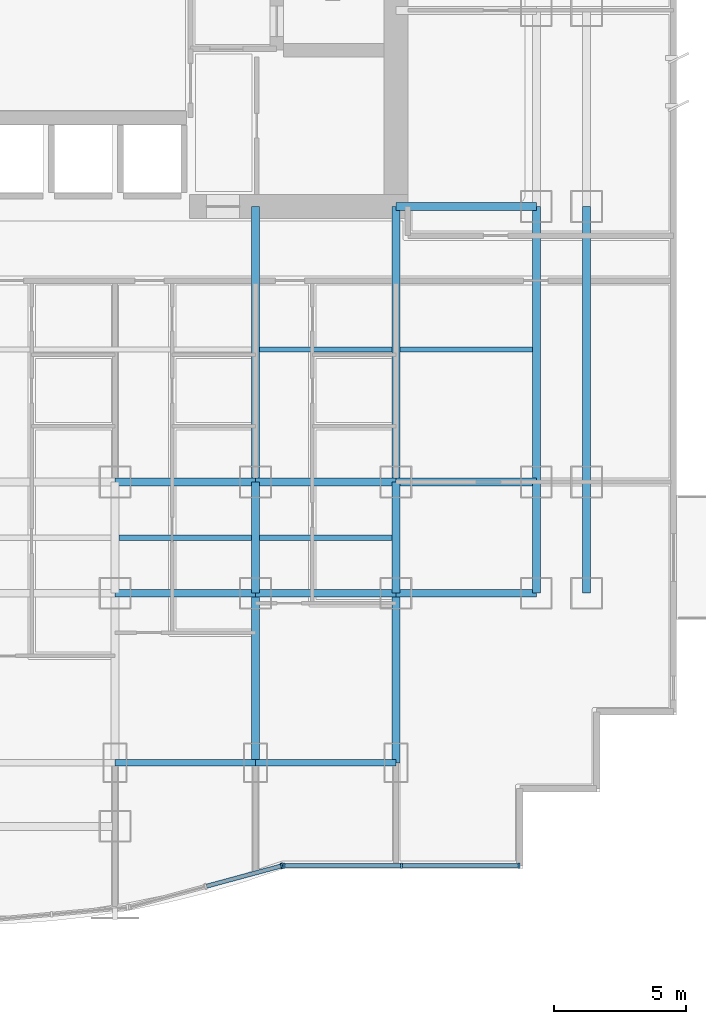
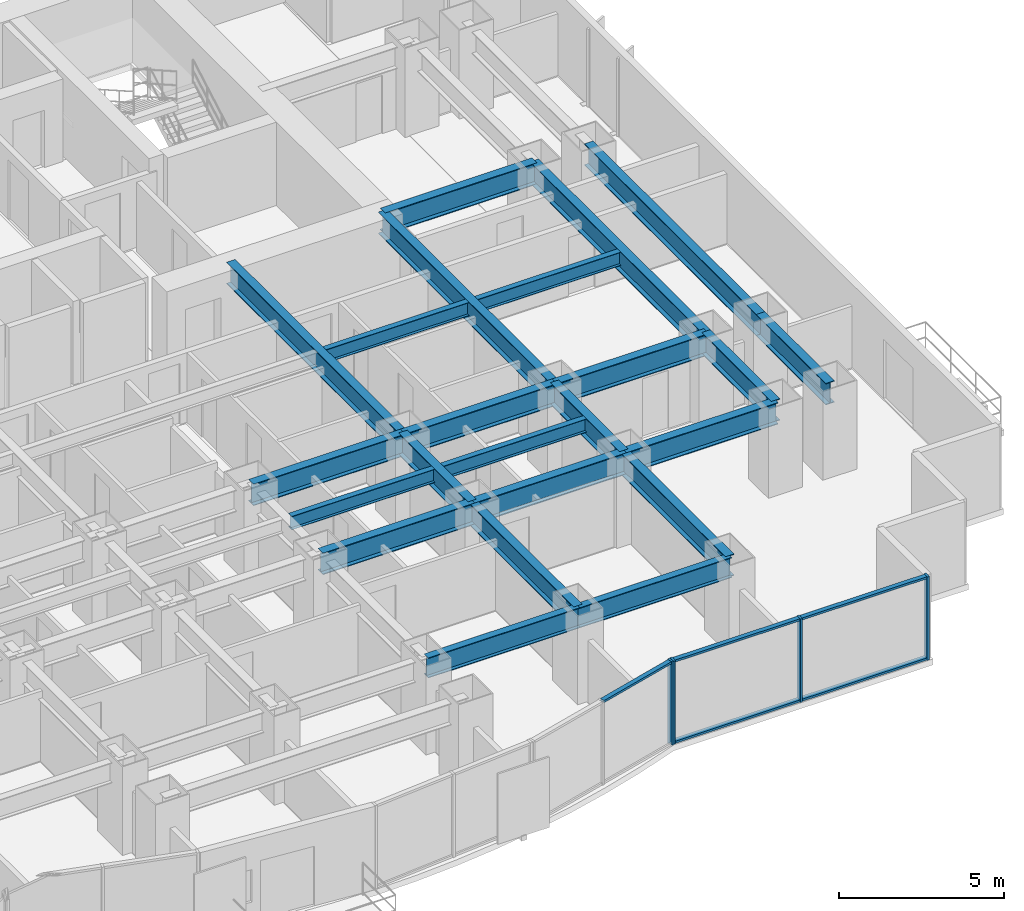
# One storey, part 3 of 10: 23 beams, 9 members, 2 elements without a shape of their own.
"""IFC4 building model written with IfcOpenShell, lengths in metres."""

from ifc_helpers import new_model, si_unit, direction, frame, origin, origin_2d, place, context, subcontext, project, spatial, rectangle, i_section, extrude, source, transform, mapped, material, layer, layer_set, material_profile, profile_set, type_object, element, aggregate, save


model = new_model("IFC4")

# Units and contexts
model_context = context("Model", 3, precision=1e-05, world=origin(), true_north=direction((0.0, 1.0)))
body_context = subcontext(model_context, "Body", "Model", "MODEL_VIEW")
ifc_project = project(units=[si_unit("LENGTHUNIT", "METRE"), si_unit("AREAUNIT", "SQUARE_METRE"), si_unit("VOLUMEUNIT", "CUBIC_METRE"), si_unit("PLANEANGLEUNIT", "RADIAN"), si_unit("MASSUNIT", "GRAM", prefix="KILO")], contexts=[model_context])

# Site, building, storey
site_placement = place(None, origin())
site = spatial("IfcSite", under=ifc_project, at=site_placement, CompositionType="ELEMENT")
building_placement = place(site_placement, origin())
building = spatial("IfcBuilding", under=site, at=building_placement, Name="Qianlan Lanfeng Residences", CompositionType="ELEMENT")
storey_placement = place(building_placement, frame((0.0, 0.0, 30.800048828125)))
storey = spatial("IfcBuildingStorey", under=building, at=storey_placement, Name="L07", CompositionType="ELEMENT", Elevation=30.800048828125)

# Beams
ifc_material_1 = material(Name="Steel SN490B", Category="steel")
ifc_material_profile_1 = material_profile(ifc_material_1, i_section(OverallWidth=0.300048828125, OverallDepth=0.800048828125, WebThickness=0.01611328125, FlangeThickness=0.028076171875, at=origin_2d()), Name="H 800x300x16x28")
ifc_profile_set_1 = profile_set([ifc_material_profile_1], Name="Steel SN490B")
beam_type_1 = type_object("IfcBeamType", Name="G-950", PredefinedType="BEAM", material=ifc_profile_set_1)
beam_1_placement = place(storey_placement, frame((31.800048828125, 10.60009765625, 2.679931640625), z_axis=(1.0, 0.0, 0.0), x_axis=(0.0, 1.0, 0.0)))
element("IfcBeam", 1, at=beam_1_placement, inside=storey, type_object=beam_type_1, Name="Structural beam G-950", PredefinedType="BEAM", context=body_context, shape_type="SweptSolid", body=[
    extrude(i_section(OverallWidth=0.300048828125, OverallDepth=0.800048828125, WebThickness=0.01611328125, FlangeThickness=0.028076171875, at=origin_2d()), origin(), (0.0, 0.0, 1.0), 5.300048828125),
])
beam_2_placement = place(storey_placement, frame((37.10009765625, 10.60009765625, 2.679931640625), z_axis=(1.0, 0.0, 0.0), x_axis=(0.0, 1.0, 0.0)))
element("IfcBeam", 2, at=beam_2_placement, inside=storey, type_object=beam_type_1, Name="Structural beam G-950", PredefinedType="BEAM", context=body_context, shape_type="SweptSolid", body=[
    extrude(i_section(OverallWidth=0.300048828125, OverallDepth=0.800048828125, WebThickness=0.01611328125, FlangeThickness=0.028076171875, at=origin_2d()), origin(), (0.0, 0.0, 1.0), 5.2998046875),
])
for number, where, z_axis, x_axis, name in (
    (3, (42.39990234375, 10.60009765625, 2.679931640625), (1.0, 0.0, 0.0), (0.0, 1.0, 0.0), "Structural beam G-950"),
    (4, (31.800048828125, 14.800048828125, 2.679931640625), (1.0, 0.0, 0.0), (0.0, 1.0, 0.0), "Structural beam G-950"),
):
    element("IfcBeam", number, at=place(storey_placement, frame(where, z_axis=z_axis, x_axis=x_axis)), inside=storey, type_object=beam_type_1, Name=name, PredefinedType="BEAM", context=body_context, shape_type="SweptSolid", body=[
        extrude(i_section(OverallWidth=0.300048828125, OverallDepth=0.800048828125, WebThickness=0.01611328125, FlangeThickness=0.028076171875, at=origin_2d()), origin(), (0.0, 0.0, 1.0), 5.300048828125),
    ])
beam_3_placement = place(storey_placement, frame((37.10009765625, 14.800048828125, 2.679931640625), z_axis=(1.0, 0.0, 0.0), x_axis=(0.0, 1.0, 0.0)))
element("IfcBeam", 5, at=beam_3_placement, inside=storey, type_object=beam_type_1, Name="Structural beam G-950", PredefinedType="BEAM", context=body_context, shape_type="SweptSolid", body=[
    extrude(i_section(OverallWidth=0.300048828125, OverallDepth=0.800048828125, WebThickness=0.01611328125, FlangeThickness=0.028076171875, at=origin_2d()), origin(), (0.0, 0.0, 1.0), 5.2998046875),
])
for number, where, z_axis, x_axis, name in (
    (6, (42.39990234375, 14.800048828125, 2.679931640625), (1.0, 0.0, 0.0), (0.0, 1.0, 0.0), "Structural beam G-950"),
    (7, (42.39990234375, 25.199951171875, 2.679931640625), (1.0, 0.0, 0.0), (0.0, 1.0, 0.0), "Structural beam G-950"),
):
    element("IfcBeam", number, at=place(storey_placement, frame(where, z_axis=z_axis, x_axis=x_axis)), inside=storey, type_object=beam_type_1, Name=name, PredefinedType="BEAM", context=body_context, shape_type="SweptSolid", body=[
        extrude(i_section(OverallWidth=0.300048828125, OverallDepth=0.800048828125, WebThickness=0.01611328125, FlangeThickness=0.028076171875, at=origin_2d()), origin(), (0.0, 0.0, 1.0), 5.300048828125),
    ])
beam_4_placement = place(storey_placement, frame((37.10009765625, 4.199951171875, 2.679931640625), z_axis=(0.0, 1.0, 0.0), x_axis=(-1.0, 0.0, 0.0)))
element("IfcBeam", 8, at=beam_4_placement, inside=storey, type_object=beam_type_1, Name="Structural beam G-950", PredefinedType="BEAM", context=body_context, shape_type="SweptSolid", body=[
    extrude(i_section(OverallWidth=0.300048828125, OverallDepth=0.800048828125, WebThickness=0.01611328125, FlangeThickness=0.028076171875, at=origin_2d()), origin(), (0.0, 0.0, 1.0), 6.400146484375),
])
beam_5_placement = place(storey_placement, frame((37.10009765625, 10.60009765625, 2.679931640625), z_axis=(0.0, 1.0, 0.0), x_axis=(-1.0, 0.0, 0.0)))
element("IfcBeam", 9, at=beam_5_placement, inside=storey, type_object=beam_type_1, Name="Structural beam G-950", PredefinedType="BEAM", context=body_context, shape_type="SweptSolid", body=[
    extrude(i_section(OverallWidth=0.300048828125, OverallDepth=0.800048828125, WebThickness=0.01611328125, FlangeThickness=0.028076171875, at=origin_2d()), origin(), (0.0, 0.0, 1.0), 4.199951171875),
])
beam_6_placement = place(storey_placement, frame((37.10009765625, 14.800048828125, 2.679931640625), z_axis=(0.0, 1.0, 0.0), x_axis=(-1.0, 0.0, 0.0)))
element("IfcBeam", 10, at=beam_6_placement, inside=storey, type_object=beam_type_1, Name="Structural beam G-950", PredefinedType="BEAM", context=body_context, shape_type="SweptSolid", body=[
    extrude(i_section(OverallWidth=0.300048828125, OverallDepth=0.800048828125, WebThickness=0.01611328125, FlangeThickness=0.028076171875, at=origin_2d()), origin(), (0.0, 0.0, 1.0), 10.39990234375),
])
beam_7_placement = place(storey_placement, frame((42.39990234375, 4.199951171875, 2.679931640625), z_axis=(0.0, 1.0, 0.0), x_axis=(-1.0, 0.0, 0.0)))
element("IfcBeam", 11, at=beam_7_placement, inside=storey, type_object=beam_type_1, Name="Structural beam G-950", PredefinedType="BEAM", context=body_context, shape_type="SweptSolid", body=[
    extrude(i_section(OverallWidth=0.300048828125, OverallDepth=0.800048828125, WebThickness=0.01611328125, FlangeThickness=0.028076171875, at=origin_2d()), origin(), (0.0, 0.0, 1.0), 6.400146484375),
])
beam_8_placement = place(storey_placement, frame((42.39990234375, 10.60009765625, 2.679931640625), z_axis=(0.0, 1.0, 0.0), x_axis=(-1.0, 0.0, 0.0)))
element("IfcBeam", 12, at=beam_8_placement, inside=storey, type_object=beam_type_1, Name="Structural beam G-950", PredefinedType="BEAM", context=body_context, shape_type="SweptSolid", body=[
    extrude(i_section(OverallWidth=0.300048828125, OverallDepth=0.800048828125, WebThickness=0.01611328125, FlangeThickness=0.028076171875, at=origin_2d()), origin(), (0.0, 0.0, 1.0), 4.199951171875),
])
beam_9_placement = place(storey_placement, frame((42.39990234375, 14.800048828125, 2.679931640625), z_axis=(0.0, 1.0, 0.0), x_axis=(-1.0, 0.0, 0.0)))
element("IfcBeam", 13, at=beam_9_placement, inside=storey, type_object=beam_type_1, Name="Structural beam G-950", PredefinedType="BEAM", context=body_context, shape_type="SweptSolid", body=[
    extrude(i_section(OverallWidth=0.300048828125, OverallDepth=0.800048828125, WebThickness=0.01611328125, FlangeThickness=0.028076171875, at=origin_2d()), origin(), (0.0, 0.0, 1.0), 10.39990234375),
])
beam_10_placement = place(storey_placement, frame((47.699951171875, 10.60009765625, 2.679931640625), z_axis=(0.0, 1.0, 0.0), x_axis=(-1.0, 0.0, 0.0)))
element("IfcBeam", 14, at=beam_10_placement, inside=storey, type_object=beam_type_1, Name="Structural beam G-950", PredefinedType="BEAM", context=body_context, shape_type="SweptSolid", body=[
    extrude(i_section(OverallWidth=0.300048828125, OverallDepth=0.800048828125, WebThickness=0.01611328125, FlangeThickness=0.028076171875, at=origin_2d()), origin(), (0.0, 0.0, 1.0), 4.199951171875),
])
beam_11_placement = place(storey_placement, frame((47.699951171875, 14.800048828125, 2.679931640625), z_axis=(0.0, 1.0, 0.0), x_axis=(-1.0, 0.0, 0.0)))
element("IfcBeam", 15, at=beam_11_placement, inside=storey, type_object=beam_type_1, Name="Structural beam G-950", PredefinedType="BEAM", context=body_context, shape_type="SweptSolid", body=[
    extrude(i_section(OverallWidth=0.300048828125, OverallDepth=0.800048828125, WebThickness=0.01611328125, FlangeThickness=0.028076171875, at=origin_2d()), origin(), (0.0, 0.0, 1.0), 10.39990234375),
])
beam_12_placement = place(storey_placement, frame((49.60009765625, 10.60009765625, 2.679931640625), z_axis=(0.0, 1.0, 0.0), x_axis=(-1.0, 0.0, 0.0)))
element("IfcBeam", 16, at=beam_12_placement, inside=storey, type_object=beam_type_1, Name="Structural beam G-950", PredefinedType="BEAM", context=body_context, shape_type="SweptSolid", body=[
    extrude(i_section(OverallWidth=0.300048828125, OverallDepth=0.800048828125, WebThickness=0.01611328125, FlangeThickness=0.028076171875, at=origin_2d()), origin(), (0.0, 0.0, 1.0), 4.199951171875),
])
beam_13_placement = place(storey_placement, frame((49.60009765625, 14.800048828125, 2.679931640625), z_axis=(0.0, 1.0, 0.0), x_axis=(-1.0, 0.0, 0.0)))
element("IfcBeam", 17, at=beam_13_placement, inside=storey, type_object=beam_type_1, Name="Structural beam G-950", PredefinedType="BEAM", context=body_context, shape_type="SweptSolid", body=[
    extrude(i_section(OverallWidth=0.300048828125, OverallDepth=0.800048828125, WebThickness=0.01611328125, FlangeThickness=0.028076171875, at=origin_2d()), origin(), (0.0, 0.0, 1.0), 10.39990234375),
])
ifc_material_profile_2 = material_profile(ifc_material_1, i_section(OverallWidth=0.199951171875, OverallDepth=0.5, WebThickness=0.010009765625, FlangeThickness=0.01611328125, at=origin_2d()), Name="H 500x200x10x16")
ifc_profile_set_2 = profile_set([ifc_material_profile_2], Name="Steel SN490B")
beam_type_2 = type_object("IfcBeamType", Name="J-500", PredefinedType="JOIST", material=ifc_profile_set_2)
for number, where, z_axis, x_axis, name in (
    (18, (31.949951171875, 12.699951171875, 2.829833984375), (1.0, 0.0, 0.0), (0.0, 1.0, 0.0), "Structural beam J-500"),
    (19, (37.25, 12.699951171875, 2.829833984375), (1.0, 0.0, 0.0), (0.0, 1.0, 0.0), "Structural beam J-500"),
    (20, (37.25, 19.800048828125, 2.829833984375), (1.0, 0.0, 0.0), (0.0, 1.0, 0.0), "Structural beam J-500"),
    (21, (42.550048828125, 19.800048828125, 2.829833984375), (1.0, 0.0, 0.0), (0.0, 1.0, 0.0), "Structural beam J-500"),
):
    element("IfcBeam", number, at=place(storey_placement, frame(where, z_axis=z_axis, x_axis=x_axis)), inside=storey, type_object=beam_type_2, Name=name, PredefinedType="JOIST", context=body_context, shape_type="SweptSolid", body=[
        extrude(i_section(OverallWidth=0.199951171875, OverallDepth=0.5, WebThickness=0.010009765625, FlangeThickness=0.01611328125, at=origin_2d()), origin(), (0.0, 0.0, 1.0), 5.0),
    ])
ifc_material_profile_3 = material_profile(ifc_material_1, i_section(OverallWidth=0.25, OverallDepth=0.75, WebThickness=0.013916015625, FlangeThickness=0.02490234375, at=origin_2d()), Name="H 750x250x14x25")
ifc_profile_set_3 = profile_set([ifc_material_profile_3], Name="Steel SN490B")
beam_type_3 = type_object("IfcBeamType", Name="SG-850", PredefinedType="SPANDREL", material=ifc_profile_set_3)
beam_14_placement = place(storey_placement, frame((31.800048828125, 4.199951171875, 2.704833984375), z_axis=(1.0, 0.0, 0.0), x_axis=(0.0, 1.0, 0.0)))
element("IfcBeam", 22, at=beam_14_placement, inside=storey, type_object=beam_type_3, Name="Structural beam SG-850", PredefinedType="SPANDREL", context=body_context, shape_type="SweptSolid", body=[
    extrude(i_section(OverallWidth=0.25, OverallDepth=0.75, WebThickness=0.013916015625, FlangeThickness=0.02490234375, at=origin_2d()), origin(), (0.0, 0.0, 1.0), 5.300048828125),
])
beam_15_placement = place(storey_placement, frame((37.10009765625, 4.199951171875, 2.704833984375), z_axis=(1.0, 0.0, 0.0), x_axis=(0.0, 1.0, 0.0)))
element("IfcBeam", 23, at=beam_15_placement, inside=storey, type_object=beam_type_3, Name="Structural beam SG-850", PredefinedType="SPANDREL", context=body_context, shape_type="SweptSolid", body=[
    extrude(i_section(OverallWidth=0.25, OverallDepth=0.75, WebThickness=0.013916015625, FlangeThickness=0.02490234375, at=origin_2d()), origin(), (0.0, 0.0, 1.0), 5.2998046875),
])

# Curtain wall, member
ifc_material_2 = material(Name="Anodised Bronze Aluminium 6063-T6", Category="aluminium")
ifc_layer = layer(ifc_material_2, 0.219970703125)
ifc_layer_set = layer_set([ifc_layer], Name="Anodised Bronze Aluminium 6063-T6")
curtain_wall_type = type_object("IfcCurtainWallType", Name="CW-02", PredefinedType="NOTDEFINED", material=ifc_layer_set)
curtain_wall_1_placement = place(storey_placement, origin())
curtain_wall_1 = element("IfcCurtainWall", 24, at=curtain_wall_1_placement, inside=storey, type_object=curtain_wall_type, Name="L07 Unitised Curtain Wall CWR-L07-04 (CW-02)", PredefinedType="NOTDEFINED")
ifc_material_profile_4 = material_profile(ifc_material_2, rectangle(XDim=0.080078125, YDim=0.159912109375, at=origin_2d()), Name="ALU TRANSOM 80x160")
ifc_profile_set_4 = profile_set([ifc_material_profile_4], Name="Anodised Bronze Aluminium 6063-T6")
member_type_1 = type_object("IfcMemberType", Name="CWT-180", PredefinedType="USERDEFINED", material=ifc_profile_set_4)
shared_shape_1 = source(origin(), body_context, "Body", "SweptSolid", [
    extrude(rectangle(XDim=0.080078125, YDim=0.159912109375, at=origin_2d()), origin(), (0.0, 0.0, 1.0), 2.897705078125),
])
member_1_placement = place(storey_placement, frame((35.255615234375, -0.4580078125, 3.0400390625), z_axis=(0.965267548724, 0.261263390817, 0.0), x_axis=(0.0, 0.0, 1.0)))
member_1 = element("IfcMember", 25, at=member_1_placement, type_object=member_type_1, Name="CWR-L07-04 Transom 2-TOP", ObjectType="TRANSOM", PredefinedType="USERDEFINED", context=body_context, shape_type="MappedRepresentation", body=[
    mapped(shared_shape_1, transform((0.0, 0.0, 0.0), scale=1.0)),
])

# Curtain wall, members
curtain_wall_2_placement = place(storey_placement, origin())
curtain_wall_2 = element("IfcCurtainWall", 26, at=curtain_wall_2_placement, inside=storey, type_object=curtain_wall_type, Name="L07 Unitised Curtain Wall CWR-L07-05 (CW-02)", PredefinedType="NOTDEFINED")
shared_shape_2 = source(origin(), body_context, "Body", "SweptSolid", [
    extrude(rectangle(XDim=0.080078125, YDim=0.159912109375, at=origin_2d()), origin(), (0.0, 0.0, 1.0), 4.35498046875),
])
member_2_placement = place(storey_placement, frame((38.2099609375, 0.320068359375, 0.0400390625), z_axis=(1.0, 0.0, 0.0), x_axis=(0.0, 0.0, 1.0)))
member_2 = element("IfcMember", 27, at=member_2_placement, type_object=member_type_1, Name="CWR-L07-05 Transom 1-BOT", ObjectType="TRANSOM", PredefinedType="USERDEFINED", context=body_context, shape_type="MappedRepresentation", body=[
    mapped(shared_shape_2, transform((0.0, 0.0, 0.0), scale=1.0)),
])
member_3_placement = place(storey_placement, frame((38.2099609375, 0.320068359375, 3.0400390625), z_axis=(1.0, 0.0, 0.0), x_axis=(0.0, 0.0, 1.0)))
member_3 = element("IfcMember", 28, at=member_3_placement, type_object=member_type_1, Name="CWR-L07-05 Transom 1-TOP", ObjectType="TRANSOM", PredefinedType="USERDEFINED", context=body_context, shape_type="MappedRepresentation", body=[
    mapped(shared_shape_2, transform((0.0, 0.0, 0.0), scale=1.0)),
])
member_4_placement = place(storey_placement, frame((42.64501953125, 0.320068359375, 0.0400390625), z_axis=(1.0, 0.0, 0.0), x_axis=(0.0, 0.0, 1.0)))
member_4 = element("IfcMember", 29, at=member_4_placement, type_object=member_type_1, Name="CWR-L07-05 Transom 2-BOT", ObjectType="TRANSOM", PredefinedType="USERDEFINED", context=body_context, shape_type="MappedRepresentation", body=[
    mapped(shared_shape_2, transform((0.0, 0.0, 0.0), scale=1.0)),
])
member_5_placement = place(storey_placement, frame((42.64501953125, 0.320068359375, 3.0400390625), z_axis=(1.0, 0.0, 0.0), x_axis=(0.0, 0.0, 1.0)))
member_5 = element("IfcMember", 30, at=member_5_placement, type_object=member_type_1, Name="CWR-L07-05 Transom 2-TOP", ObjectType="TRANSOM", PredefinedType="USERDEFINED", context=body_context, shape_type="MappedRepresentation", body=[
    mapped(shared_shape_2, transform((0.0, 0.0, 0.0), scale=1.0)),
])

# Member
ifc_material_profile_5 = material_profile(ifc_material_2, rectangle(XDim=0.080078125, YDim=0.2099609375, at=origin_2d()), Name="ALU MULLION 80x210")
ifc_profile_set_5 = profile_set([ifc_material_profile_5], Name="Anodised Bronze Aluminium 6063-T6")
member_type_2 = type_object("IfcMemberType", Name="CWM-220", PredefinedType="MULLION", material=ifc_profile_set_5)
shared_shape_3 = source(origin(), body_context, "Body", "SweptSolid", [
    extrude(rectangle(XDim=0.080078125, YDim=0.2099609375, at=origin_2d()), origin(), (0.0, 0.0, 1.0), 3.079833984375),
])
member_6_placement = place(storey_placement, frame((38.09130859375, 0.3095703125, 0.0), z_axis=(0.0, 0.0, 1.0), x_axis=(0.9652627173, 0.261281240412, 0.0)))
member_6 = element("IfcMember", 31, at=member_6_placement, type_object=member_type_2, Name="CWR-L07-04 Mullion 3", PredefinedType="MULLION", context=body_context, shape_type="MappedRepresentation", body=[
    mapped(shared_shape_3, transform((0.0, 0.0, 0.0), scale=1.0)),
])

aggregate(curtain_wall_1, [member_6, member_1])

member_7_placement = place(storey_placement, frame((38.169921875, 0.320068359375, 0.0), z_axis=(0.0, 0.0, 1.0), x_axis=(1.0, 0.0, 0.0)))
member_7 = element("IfcMember", 32, at=member_7_placement, type_object=member_type_2, Name="CWR-L07-05 Mullion 1", PredefinedType="MULLION", context=body_context, shape_type="MappedRepresentation", body=[
    mapped(shared_shape_3, transform((0.0, 0.0, 0.0), scale=1.0)),
])

member_8_placement = place(storey_placement, frame((42.60498046875, 0.320068359375, 0.0), z_axis=(0.0, 0.0, 1.0), x_axis=(1.0, 0.0, 0.0)))
member_8 = element("IfcMember", 33, at=member_8_placement, type_object=member_type_2, Name="CWR-L07-05 Mullion 2", PredefinedType="MULLION", context=body_context, shape_type="MappedRepresentation", body=[
    mapped(shared_shape_3, transform((0.0, 0.0, 0.0), scale=1.0)),
])

member_9_placement = place(storey_placement, frame((47.0400390625, 0.320068359375, 0.0), z_axis=(0.0, 0.0, 1.0), x_axis=(1.0, 0.0, 0.0)))
member_9 = element("IfcMember", 34, at=member_9_placement, type_object=member_type_2, Name="CWR-L07-05 Mullion 3", PredefinedType="MULLION", context=body_context, shape_type="MappedRepresentation", body=[
    mapped(shared_shape_3, transform((0.0, 0.0, 0.0), scale=1.0)),
])

aggregate(curtain_wall_2, [member_7, member_8, member_9, member_2, member_3, member_4, member_5])

save(model, "model.ifc")
